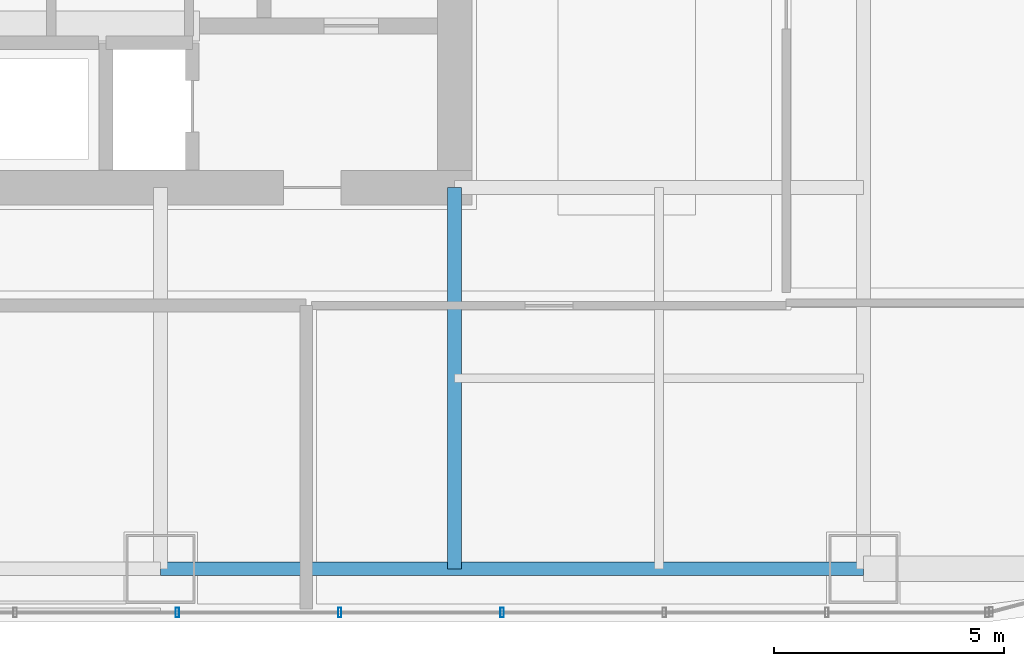
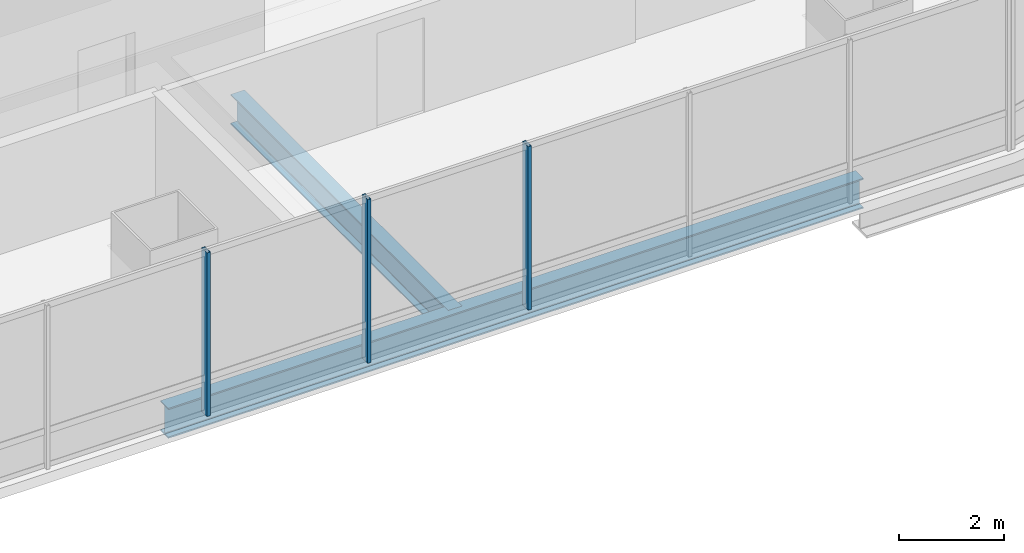
# One storey, part 7 of 34: 3 members, 2 beams, 1 element without a shape of its own.
"""IFC4 building model written with IfcOpenShell, lengths in metres."""

from ifc_helpers import new_model, si_unit, direction, frame, origin, origin_2d, place, context, subcontext, project, spatial, hollow_rectangle, i_section, extrude, material, material_profile, profile_set, type_object, element, aggregate, save


model = new_model("IFC4")

# Units and contexts
model_context = context("Model", 3, precision=1e-05, world=origin(), true_north=direction((0.0, 1.0)))
body_context = subcontext(model_context, "Body", "Model", "MODEL_VIEW")
ifc_project = project(units=[si_unit("LENGTHUNIT", "METRE"), si_unit("AREAUNIT", "SQUARE_METRE"), si_unit("VOLUMEUNIT", "CUBIC_METRE"), si_unit("PLANEANGLEUNIT", "RADIAN"), si_unit("MASSUNIT", "GRAM", prefix="KILO")], contexts=[model_context])

# Site, building, storey
site_placement = place(None, origin())
site = spatial("IfcSite", under=ifc_project, at=site_placement, CompositionType="ELEMENT")
building_placement = place(site_placement, origin())
building = spatial("IfcBuilding", under=site, at=building_placement, Name="Punatoya Terracotta Tower", CompositionType="ELEMENT")
storey_placement = place(building_placement, frame((0.0, 0.0, 105.14990234375)))
storey = spatial("IfcBuildingStorey", under=building, at=storey_placement, Name="L24", CompositionType="ELEMENT", Elevation=105.14990234375)

# Beams
ifc_material_1 = material(Name="Steel S355", Category="steel")
ifc_material_profile_1 = material_profile(ifc_material_1, i_section(OverallWidth=0.300048828125, OverallDepth=0.699951171875, WebThickness=0.01708984375, FlangeThickness=0.031982421875, FilletRadius=0.01806640625, at=origin_2d()))
ifc_profile_set_1 = profile_set([ifc_material_profile_1], Name="Steel S355")
beam_type = type_object("IfcBeamType", Name="BM-PRI-700", PredefinedType="BEAM", material=ifc_profile_set_1)
beam_1_placement = place(storey_placement, frame((3.800048828125, -17.5, -0.58984375), z_axis=(1.0, 0.0, 0.0), x_axis=(0.0, 1.0, 0.0)))
element("IfcBeam", 1, at=beam_1_placement, inside=storey, type_object=beam_type, Name="BM-L24-RG-S3", PredefinedType="BEAM", context=body_context, shape_type="SweptSolid", body=[
    extrude(i_section(OverallWidth=0.300048828125, OverallDepth=0.699951171875, WebThickness=0.01708984375, FlangeThickness=0.031982421875, FilletRadius=0.01806640625, at=origin_2d()), origin(), (0.0, 0.0, 1.0), 15.300048828125),
])
beam_2_placement = place(storey_placement, frame((10.199951171875, -17.5, -0.58984375), z_axis=(0.0, 1.0, 0.0), x_axis=(-1.0, 0.0, 0.0)))
element("IfcBeam", 2, at=beam_2_placement, inside=storey, type_object=beam_type, Name="BM-L24-PR-S4", PredefinedType="BEAM", context=body_context, shape_type="SweptSolid", body=[
    extrude(i_section(OverallWidth=0.300048828125, OverallDepth=0.699951171875, WebThickness=0.01708984375, FlangeThickness=0.031982421875, FilletRadius=0.01806640625, at=origin_2d()), origin(), (0.0, 0.0, 1.0), 8.300048828125),
])

# Curtain wall, members
ifc_material_2 = material(Name="Aluminium 6063-T6 + Double Low-E Glass", Category="aluminium")
curtain_wall_type = type_object("IfcCurtainWallType", Name="CW-M1", PredefinedType="NOTDEFINED", material=ifc_material_2)
curtain_wall_placement = place(storey_placement, origin())
curtain_wall = element("IfcCurtainWall", 3, at=curtain_wall_placement, inside=storey, type_object=curtain_wall_type, Name="L24 Curtain Wall CW-L24-S01-1", PredefinedType="NOTDEFINED")
ifc_material_3 = material(Name="Aluminium 6063-T6", Category="aluminium")
ifc_material_profile_2 = material_profile(ifc_material_3, hollow_rectangle(XDim=0.074951171875, YDim=0.2099609375, WallThickness=0.00439453125, at=origin_2d()))
ifc_profile_set_2 = profile_set([ifc_material_profile_2], Name="Aluminium 6063-T6")
member_type = type_object("IfcMemberType", Name="CW-MUL-M1", PredefinedType="MULLION", material=ifc_profile_set_2)
member_1_placement = place(storey_placement, frame((4.1669921875, -18.449951171875, 0.0), z_axis=(0.0, 0.0, 1.0), x_axis=(1.0, 0.0, 0.0)))
member_1 = element("IfcMember", 4, at=member_1_placement, type_object=member_type, Name="CW-L24-S01-1 Mullion 06", PredefinedType="MULLION", context=body_context, shape_type="SweptSolid", body=[
    extrude(hollow_rectangle(XDim=0.074951171875, YDim=0.2099609375, WallThickness=0.00439453125, at=origin_2d()), origin(), (0.0, 0.0, 1.0), 3.81005859375),
])
member_2_placement = place(storey_placement, frame((7.700927734375, -18.449951171875, 0.0), z_axis=(0.0, 0.0, 1.0), x_axis=(1.0, 0.0, 0.0)))
member_2 = element("IfcMember", 5, at=member_2_placement, type_object=member_type, Name="CW-L24-S01-1 Mullion 07", PredefinedType="MULLION", context=body_context, shape_type="SweptSolid", body=[
    extrude(hollow_rectangle(XDim=0.074951171875, YDim=0.2099609375, WallThickness=0.00439453125, at=origin_2d()), origin(), (0.0, 0.0, 1.0), 3.81005859375),
])
member_3_placement = place(storey_placement, frame((11.235107421875, -18.449951171875, 0.0), z_axis=(0.0, 0.0, 1.0), x_axis=(1.0, 0.0, 0.0)))
member_3 = element("IfcMember", 6, at=member_3_placement, type_object=member_type, Name="CW-L24-S01-1 Mullion 08", PredefinedType="MULLION", context=body_context, shape_type="SweptSolid", body=[
    extrude(hollow_rectangle(XDim=0.074951171875, YDim=0.2099609375, WallThickness=0.00439453125, at=origin_2d()), origin(), (0.0, 0.0, 1.0), 3.81005859375),
])
aggregate(curtain_wall, [member_1, member_2, member_3])

save(model, "model.ifc")
